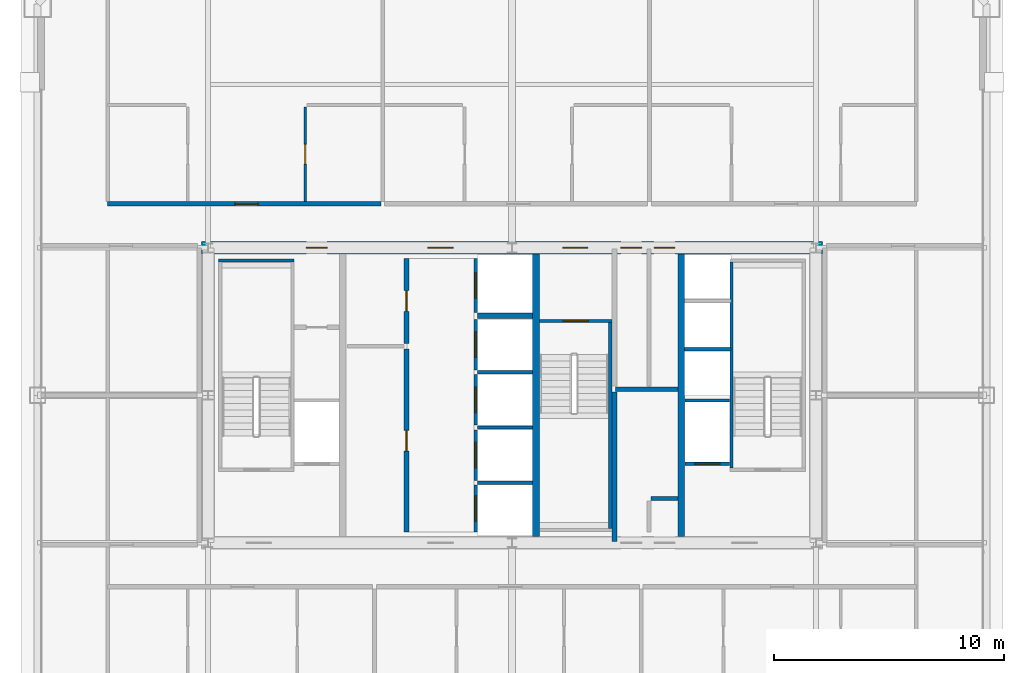
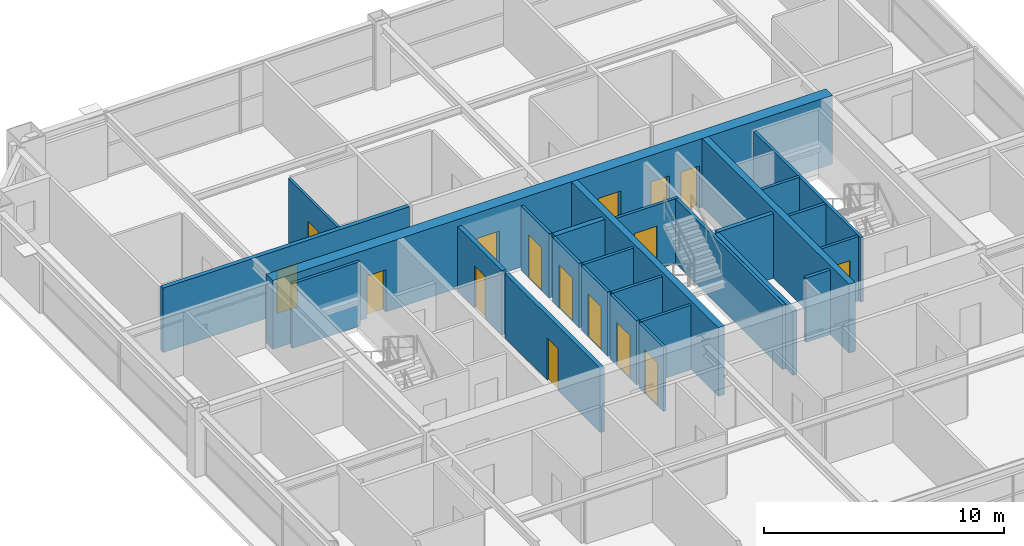
# One storey, part 33 of 36: 26 walls, 16 doors, 16 openings.
"""IFC4 building model written with IfcOpenShell, lengths in metres."""

from ifc_helpers import new_model, si_unit, direction, frame, frame_2d, origin, place, context, subcontext, project, spatial, rectangle, extrude, source, transform, mapped, material, layer, layer_set, type_object, element, fill, save


model = new_model("IFC4")

# Units and contexts
model_context = context("Model", 3, precision=1e-05, world=origin(), true_north=direction((0.0, 1.0)))
body_context = subcontext(model_context, "Body", "Model", "MODEL_VIEW")
ifc_project = project(units=[si_unit("LENGTHUNIT", "METRE"), si_unit("AREAUNIT", "SQUARE_METRE"), si_unit("VOLUMEUNIT", "CUBIC_METRE"), si_unit("PLANEANGLEUNIT", "RADIAN"), si_unit("MASSUNIT", "GRAM", prefix="KILO"), si_unit("THERMODYNAMICTEMPERATUREUNIT", "KELVIN"), si_unit("POWERUNIT", "WATT")], contexts=[model_context])

# Site, building, storey
site_placement = place(None, origin())
site = spatial("IfcSite", under=ifc_project, at=site_placement, CompositionType="ELEMENT")
building_placement = place(site_placement, origin())
building = spatial("IfcBuilding", under=site, at=building_placement, Name="Yuzanri Waterfront Tower", CompositionType="ELEMENT")
storey_placement = place(building_placement, frame((0.0, 0.0, 238.10009765625)))
storey = spatial("IfcBuildingStorey", under=building, at=storey_placement, Name="L63", CompositionType="ELEMENT", Elevation=238.10009765625)

# Wall, opening, door
ifc_material_1 = material(Name="Moisture-Resistant Gypsum Stud Wall", Category="gypsum")
ifc_layer_1 = layer(ifc_material_1, 0.1201171875)
ifc_layer_set_1 = layer_set([ifc_layer_1], Name="Moisture-Resistant Gypsum Stud Wall")
wall_type_1 = type_object("IfcWallType", Name="Bathroom and Kitchen Wet Partition 120", PredefinedType="PARTITIONING", material=ifc_layer_set_1)
wall_1_placement = place(storey_placement, frame((28.02099609375, 34.2099609375, 0.0), z_axis=(0.0, 0.0, 1.0), x_axis=(0.0, 1.0, 0.0)))
wall_1 = element("IfcWall", 1, at=wall_1_placement, inside=storey, type_object=wall_type_1, Name="L63 Partition UW-L63-RN1-SUB-2-W", PredefinedType="PARTITIONING", context=body_context, shape_type="SweptSolid", body=[
    extrude(rectangle(XDim=4.110107421875, YDim=0.1201171875, at=frame_2d((2.05517578125, 0.0))), origin(), (0.0, 0.0, 1.0), 3.27978515625),
])
opening_1_placement = place(wall_1_placement, frame((1.6298828125, 0.0, 0.0)))
opening_1 = element("IfcOpeningElement", 2, at=opening_1_placement, cuts=wall_1, Name="Opening ID-0850", PredefinedType="OPENING", context=body_context, shape_type="SweptSolid", body=[
    extrude(rectangle(XDim=0.85009765625, YDim=2.10009765625, at=frame_2d((0.425048828125, 1.050048828125))), frame((0.0, 0.074951171875, 0.0), z_axis=(0.0, -1.0, 0.0), x_axis=(1.0, 0.0, 0.0)), (0.0, 0.0, 1.0), 0.14990234375),
])
ifc_material_2 = material(Name="Moisture-Resistant Lacquered Timber", Category="wood")
door_type_1 = type_object("IfcDoorType", Name="En-Suite Bathroom and Kitchen Swing Door 850x2100", OperationType="NOTDEFINED", PredefinedType="DOOR", material=ifc_material_2)
shared_shape_1 = source(origin(), body_context, "Body", "SweptSolid", [
    extrude(rectangle(XDim=0.85009765625, YDim=2.10009765625, at=frame_2d((0.425048828125, 1.050048828125))), frame((0.0, 0.02490234375, 0.0), z_axis=(0.0, -1.0, 0.0), x_axis=(1.0, 0.0, 0.0)), (0.0, 0.0, 1.0), 0.050048828125),
])
door_1_placement = place(opening_1_placement, origin())
door_1 = element("IfcDoor", 3, at=door_1_placement, inside=storey, type_object=door_type_1, Name="L63 Suite Interior Room Door", OperationType="SINGLE_SWING_LEFT", OverallHeight=2.10009765625, OverallWidth=0.85009765625, PredefinedType="DOOR", context=body_context, shape_type="MappedRepresentation", body=[
    mapped(shared_shape_1, transform((0.0, 0.0, 0.0), scale=1.0)),
])
fill(opening_1, door_1)

# Wall, openings, doors
ifc_material_3 = material(Name="Concrete C50", Category="concrete")
ifc_layer_2 = layer(ifc_material_3, 0.550048828125)
ifc_layer_set_2 = layer_set([ifc_layer_2], Name="Concrete C50")
wall_type_2 = type_object("IfcWallType", Name="Concrete C50 Upper-Mid Zone Core Shear Wall 550", PredefinedType="SHEAR", material=ifc_layer_set_2)
wall_2_placement = place(storey_placement, frame((23.52490234375, 32.199951171875, 0.0), z_axis=(0.0, 0.0, 1.0), x_axis=(1.0, 0.0, 0.0)))
wall_2 = element("IfcWall", 4, at=wall_2_placement, inside=storey, type_object=wall_type_2, Name="L63 Core North Shear Wall", PredefinedType="SHEAR", context=body_context, shape_type="SweptSolid", body=[
    extrude(rectangle(XDim=26.9501953125, YDim=0.550048828125, at=frame_2d((13.47509765625, 0.0))), origin(), (0.0, 0.0, 1.0), 3.5),
])
opening_2_placement = place(wall_2_placement, frame((4.544921875, 0.0, 0.0)))
opening_2 = element("IfcOpeningElement", 5, at=opening_2_placement, cuts=wall_2, Name="Opening FD-0900", PredefinedType="OPENING", context=body_context, shape_type="SweptSolid", body=[
    extrude(rectangle(XDim=0.89990234375, YDim=2.14990234375, at=frame_2d((0.449951171875, 1.074951171875))), frame((0.0, 0.2900390625, 0.0), z_axis=(0.0, -1.0, 0.0), x_axis=(1.0, 0.0, 0.0)), (0.0, 0.0, 1.0), 0.579833984375),
])
opening_3_placement = place(wall_2_placement, frame((9.824951171875, 0.0, 0.0)))
opening_3 = element("IfcOpeningElement", 6, at=opening_3_placement, cuts=wall_2, Name="Opening FD-1100", PredefinedType="OPENING", context=body_context, shape_type="SweptSolid", body=[
    extrude(rectangle(XDim=1.10009765625, YDim=2.199951171875, at=frame_2d((0.550048828125, 1.10009765625))), frame((0.0, 0.2900390625, 0.0), z_axis=(0.0, -1.0, 0.0), x_axis=(1.0, 0.0, 0.0)), (0.0, 0.0, 1.0), 0.579833984375),
])
opening_4_placement = place(wall_2_placement, frame((15.675048828125, 0.0, 0.0)))
opening_4 = element("IfcOpeningElement", 7, at=opening_4_placement, cuts=wall_2, Name="Opening FD-1100", PredefinedType="OPENING", context=body_context, shape_type="SweptSolid", body=[
    extrude(rectangle(XDim=1.10009765625, YDim=2.199951171875, at=frame_2d((0.550048828125, 1.10009765625))), frame((0.0, 0.2900390625, 0.0), z_axis=(0.0, -1.0, 0.0), x_axis=(1.0, 0.0, 0.0)), (0.0, 0.0, 1.0), 0.579833984375),
])
opening_5_placement = place(wall_2_placement, frame((18.205078125, 0.0, 0.0)))
opening_5 = element("IfcOpeningElement", 8, at=opening_5_placement, cuts=wall_2, Name="Opening FD-0900", PredefinedType="OPENING", context=body_context, shape_type="SweptSolid", body=[
    extrude(rectangle(XDim=0.89990234375, YDim=2.14990234375, at=frame_2d((0.449951171875, 1.074951171875))), frame((0.0, 0.2900390625, 0.0), z_axis=(0.0, -1.0, 0.0), x_axis=(1.0, 0.0, 0.0)), (0.0, 0.0, 1.0), 0.579833984375),
])
opening_6_placement = place(wall_2_placement, frame((19.64501953125, 0.0, 0.0)))
opening_6 = element("IfcOpeningElement", 9, at=opening_6_placement, cuts=wall_2, Name="Opening FD-0900", PredefinedType="OPENING", context=body_context, shape_type="SweptSolid", body=[
    extrude(rectangle(XDim=0.89990234375, YDim=2.14990234375, at=frame_2d((0.449951171875, 1.074951171875))), frame((0.0, 0.2900390625, 0.0), z_axis=(0.0, -1.0, 0.0), x_axis=(1.0, 0.0, 0.0)), (0.0, 0.0, 1.0), 0.579833984375),
])
ifc_material_4 = material(Name="Painted Galvanized Fire Steel", Category="steel")
door_type_2 = type_object("IfcDoorType", Name="Smoke-Proof Stair and Lobby Fire Door 1100x2200", OperationType="NOTDEFINED", PredefinedType="DOOR", material=ifc_material_4)
shared_shape_2 = source(origin(), body_context, "Body", "SweptSolid", [
    extrude(rectangle(XDim=1.10009765625, YDim=2.199951171875, at=frame_2d((0.550048828125, 1.10009765625))), frame((0.0, 0.02490234375, 0.0), z_axis=(0.0, -1.0, 0.0), x_axis=(1.0, 0.0, 0.0)), (0.0, 0.0, 1.0), 0.050048828125),
])
door_2_placement = place(opening_3_placement, origin())
door_2 = element("IfcDoor", 10, at=door_2_placement, inside=storey, type_object=door_type_2, Name="L63 Central Lift Lobby North Door", OperationType="SINGLE_SWING_LEFT", OverallHeight=2.199951171875, OverallWidth=1.10009765625, PredefinedType="DOOR", context=body_context, shape_type="MappedRepresentation", body=[
    mapped(shared_shape_2, transform((0.0, 0.0, 0.0), scale=1.0)),
])
fill(opening_3, door_2)
door_3_placement = place(opening_4_placement, origin())
door_3 = element("IfcDoor", 11, at=door_3_placement, inside=storey, type_object=door_type_2, Name="L63 North Stair Lobby Door", OperationType="SINGLE_SWING_RIGHT", OverallHeight=2.199951171875, OverallWidth=1.10009765625, PredefinedType="DOOR", context=body_context, shape_type="MappedRepresentation", body=[
    mapped(shared_shape_2, transform((0.0, 0.0, 0.0), scale=1.0)),
])
fill(opening_4, door_3)
ifc_material_5 = material(Name="Painted Galvanized Fire Steel", Category="steel")
door_type_3 = type_object("IfcDoorType", Name="Riser and Service Room Fire Door 900x2150", OperationType="NOTDEFINED", PredefinedType="DOOR", material=ifc_material_5)
shared_shape_3 = source(origin(), body_context, "Body", "SweptSolid", [
    extrude(rectangle(XDim=0.89990234375, YDim=2.14990234375, at=frame_2d((0.449951171875, 1.074951171875))), frame((0.0, 0.02490234375, 0.0), z_axis=(0.0, -1.0, 0.0), x_axis=(1.0, 0.0, 0.0)), (0.0, 0.0, 1.0), 0.050048828125),
])
door_4_placement = place(opening_2_placement, origin())
door_4 = element("IfcDoor", 12, at=door_4_placement, inside=storey, type_object=door_type_3, Name="L63 Telecom Riser Door", OperationType="SINGLE_SWING_RIGHT", OverallHeight=2.14990234375, OverallWidth=0.89990234375, PredefinedType="DOOR", context=body_context, shape_type="MappedRepresentation", body=[
    mapped(shared_shape_3, transform((0.0, 0.0, 0.0), scale=1.0)),
])
fill(opening_2, door_4)
door_5_placement = place(opening_5_placement, origin())
door_5 = element("IfcDoor", 13, at=door_5_placement, inside=storey, type_object=door_type_3, Name="L63 Common Store Room", OperationType="SINGLE_SWING_RIGHT", OverallHeight=2.14990234375, OverallWidth=0.89990234375, PredefinedType="DOOR", context=body_context, shape_type="MappedRepresentation", body=[
    mapped(shared_shape_3, transform((0.0, 0.0, 0.0), scale=1.0)),
])
fill(opening_5, door_5)
door_6_placement = place(opening_6_placement, origin())
door_6 = element("IfcDoor", 14, at=door_6_placement, inside=storey, type_object=door_type_3, Name="L63 Linen Store Room", OperationType="SINGLE_SWING_LEFT", OverallHeight=2.14990234375, OverallWidth=0.89990234375, PredefinedType="DOOR", context=body_context, shape_type="MappedRepresentation", body=[
    mapped(shared_shape_3, transform((0.0, 0.0, 0.0), scale=1.0)),
])
fill(opening_6, door_6)

# Wall, opening, door
ifc_material_6 = material(Name="Concrete C40", Category="concrete")
ifc_layer_3 = layer(ifc_material_6, 0.139892578125)
ifc_layer_set_3 = layer_set([ifc_layer_3], Name="Concrete C40")
wall_type_3 = type_object("IfcWallType", Name="Core Stair Liner and Hoistway Shaft Wall 140", PredefinedType="SOLIDWALL", material=ifc_layer_set_3)
wall_3_placement = place(storey_placement, frame((44.52001953125, 22.830078125, 0.0), z_axis=(0.0, 0.0, 1.0), x_axis=(1.0, 0.0, 0.0)))
wall_3 = element("IfcWall", 15, at=wall_3_placement, inside=storey, type_object=wall_type_3, Name="L63 Lift FL-02 Front Shaft Wall", PredefinedType="SOLIDWALL", context=body_context, shape_type="SweptSolid", body=[
    extrude(rectangle(XDim=1.919921875, YDim=0.139892578125, at=frame_2d((0.9599609375, 0.0))), origin(), (0.0, 0.0, 1.0), 3.27978515625),
])
opening_7_placement = place(wall_3_placement, frame((0.409912109375, 0.0, 0.0)))
opening_7 = element("IfcOpeningElement", 16, at=opening_7_placement, cuts=wall_3, Name="Opening LD-FL-02", PredefinedType="OPENING", context=body_context, shape_type="SweptSolid", body=[
    extrude(rectangle(XDim=1.10009765625, YDim=2.199951171875, at=frame_2d((0.550048828125, 1.10009765625))), frame((0.0, 0.0849609375, 0.0), z_axis=(0.0, -1.0, 0.0), x_axis=(1.0, 0.0, 0.0)), (0.0, 0.0, 1.0), 0.169677734375),
])
ifc_material_7 = material(Name="Brushed Bronze and Stainless Steel Cab", Category="steel")
door_type_4 = type_object("IfcDoorType", Name="Center-Parting Bronze Lift Landing Sliding Door 1100x2200", OperationType="NOTDEFINED", PredefinedType="DOOR", material=ifc_material_7)
shared_shape_4 = source(origin(), body_context, "Body", "SweptSolid", [
    extrude(rectangle(XDim=1.10009765625, YDim=2.199951171875, at=frame_2d((0.550048828125, 1.10009765625))), frame((0.0, 0.02490234375, 0.0), z_axis=(0.0, -1.0, 0.0), x_axis=(1.0, 0.0, 0.0)), (0.0, 0.0, 1.0), 0.050048828125),
])
door_7_placement = place(opening_7_placement, origin())
door_7 = element("IfcDoor", 17, at=door_7_placement, inside=storey, type_object=door_type_4, Name="L63 FL-02 Lift Landing Sliding Door", OperationType="SLIDING_TO_RIGHT", OverallHeight=2.199951171875, OverallWidth=1.10009765625, PredefinedType="DOOR", context=body_context, shape_type="MappedRepresentation", body=[
    mapped(shared_shape_4, transform((0.0, 0.0, 0.0), scale=1.0)),
])
fill(opening_7, door_7)

wall_4_placement = place(storey_placement, frame((35.429931640625, 19.860107421875, 0.0), z_axis=(0.0, 0.0, 1.0), x_axis=(0.0, 1.0, 0.0)))
wall_4 = element("IfcWall", 18, at=wall_4_placement, inside=storey, type_object=wall_type_3, Name="L63 Lift PL-05 Front Shaft Wall", PredefinedType="SOLIDWALL", context=body_context, shape_type="SweptSolid", body=[
    extrude(rectangle(XDim=2.039794921875, YDim=0.139892578125, at=frame_2d((1.02001953125, 0.0))), origin(), (0.0, 0.0, 1.0), 3.27978515625),
])
opening_8_placement = place(wall_4_placement, frame((0.469970703125, 0.0, 0.0)))
opening_8 = element("IfcOpeningElement", 19, at=opening_8_placement, cuts=wall_4, Name="Opening LD-PL-05", PredefinedType="OPENING", context=body_context, shape_type="SweptSolid", body=[
    extrude(rectangle(XDim=1.10009765625, YDim=2.199951171875, at=frame_2d((0.550048828125, 1.10009765625))), frame((0.0, 0.0849609375, 0.0), z_axis=(0.0, -1.0, 0.0), x_axis=(1.0, 0.0, 0.0)), (0.0, 0.0, 1.0), 0.169677734375),
])
door_8_placement = place(opening_8_placement, origin())
door_8 = element("IfcDoor", 20, at=door_8_placement, inside=storey, type_object=door_type_4, Name="L63 PL-05 Lift Landing Sliding Door", OperationType="SLIDING_TO_RIGHT", OverallHeight=2.199951171875, OverallWidth=1.10009765625, PredefinedType="DOOR", context=body_context, shape_type="MappedRepresentation", body=[
    mapped(shared_shape_4, transform((0.0, 0.0, 0.0), scale=1.0)),
])
fill(opening_8, door_8)

wall_5_placement = place(storey_placement, frame((35.429931640625, 22.10009765625, 0.0), z_axis=(0.0, 0.0, 1.0), x_axis=(0.0, 1.0, 0.0)))
wall_5 = element("IfcWall", 21, at=wall_5_placement, inside=storey, type_object=wall_type_3, Name="L63 Lift PL-06 Front Shaft Wall", PredefinedType="SOLIDWALL", context=body_context, shape_type="SweptSolid", body=[
    extrude(rectangle(XDim=2.199951171875, YDim=0.139892578125, at=frame_2d((1.10009765625, 0.0))), origin(), (0.0, 0.0, 1.0), 3.27978515625),
])
opening_9_placement = place(wall_5_placement, frame((0.550048828125, 0.0, 0.0)))
opening_9 = element("IfcOpeningElement", 22, at=opening_9_placement, cuts=wall_5, Name="Opening LD-PL-06", PredefinedType="OPENING", context=body_context, shape_type="SweptSolid", body=[
    extrude(rectangle(XDim=1.10009765625, YDim=2.199951171875, at=frame_2d((0.550048828125, 1.10009765625))), frame((0.0, 0.0849609375, 0.0), z_axis=(0.0, -1.0, 0.0), x_axis=(1.0, 0.0, 0.0)), (0.0, 0.0, 1.0), 0.169677734375),
])
door_9_placement = place(opening_9_placement, origin())
door_9 = element("IfcDoor", 23, at=door_9_placement, inside=storey, type_object=door_type_4, Name="L63 PL-06 Lift Landing Sliding Door", OperationType="SLIDING_TO_LEFT", OverallHeight=2.199951171875, OverallWidth=1.10009765625, PredefinedType="DOOR", context=body_context, shape_type="MappedRepresentation", body=[
    mapped(shared_shape_4, transform((0.0, 0.0, 0.0), scale=1.0)),
])
fill(opening_9, door_9)

wall_6_placement = place(storey_placement, frame((35.429931640625, 24.5, 0.0), z_axis=(0.0, 0.0, 1.0), x_axis=(0.0, 1.0, 0.0)))
wall_6 = element("IfcWall", 24, at=wall_6_placement, inside=storey, type_object=wall_type_3, Name="L63 Lift PL-07 Front Shaft Wall", PredefinedType="SOLIDWALL", context=body_context, shape_type="SweptSolid", body=[
    extrude(rectangle(XDim=2.199951171875, YDim=0.139892578125, at=frame_2d((1.10009765625, 0.0))), origin(), (0.0, 0.0, 1.0), 3.27978515625),
])
opening_10_placement = place(wall_6_placement, frame((0.550048828125, 0.0, 0.0)))
opening_10 = element("IfcOpeningElement", 25, at=opening_10_placement, cuts=wall_6, Name="Opening LD-PL-07", PredefinedType="OPENING", context=body_context, shape_type="SweptSolid", body=[
    extrude(rectangle(XDim=1.10009765625, YDim=2.199951171875, at=frame_2d((0.550048828125, 1.10009765625))), frame((0.0, 0.0849609375, 0.0), z_axis=(0.0, -1.0, 0.0), x_axis=(1.0, 0.0, 0.0)), (0.0, 0.0, 1.0), 0.169677734375),
])
door_10_placement = place(opening_10_placement, origin())
door_10 = element("IfcDoor", 26, at=door_10_placement, inside=storey, type_object=door_type_4, Name="L63 PL-07 Lift Landing Sliding Door", OperationType="SLIDING_TO_RIGHT", OverallHeight=2.199951171875, OverallWidth=1.10009765625, PredefinedType="DOOR", context=body_context, shape_type="MappedRepresentation", body=[
    mapped(shared_shape_4, transform((0.0, 0.0, 0.0), scale=1.0)),
])
fill(opening_10, door_10)

wall_7_placement = place(storey_placement, frame((35.429931640625, 26.89990234375, 0.0), z_axis=(0.0, 0.0, 1.0), x_axis=(0.0, 1.0, 0.0)))
wall_7 = element("IfcWall", 27, at=wall_7_placement, inside=storey, type_object=wall_type_3, Name="L63 Lift PL-08 Front Shaft Wall", PredefinedType="SOLIDWALL", context=body_context, shape_type="SweptSolid", body=[
    extrude(rectangle(XDim=2.2001953125, YDim=0.139892578125, at=frame_2d((1.10009765625, 0.0))), origin(), (0.0, 0.0, 1.0), 3.27978515625),
])
opening_11_placement = place(wall_7_placement, frame((0.550048828125, 0.0, 0.0)))
opening_11 = element("IfcOpeningElement", 28, at=opening_11_placement, cuts=wall_7, Name="Opening LD-PL-08", PredefinedType="OPENING", context=body_context, shape_type="SweptSolid", body=[
    extrude(rectangle(XDim=1.10009765625, YDim=2.199951171875, at=frame_2d((0.550048828125, 1.10009765625))), frame((0.0, 0.0849609375, 0.0), z_axis=(0.0, -1.0, 0.0), x_axis=(1.0, 0.0, 0.0)), (0.0, 0.0, 1.0), 0.169677734375),
])
door_11_placement = place(opening_11_placement, origin())
door_11 = element("IfcDoor", 29, at=door_11_placement, inside=storey, type_object=door_type_4, Name="L63 PL-08 Lift Landing Sliding Door", OperationType="SLIDING_TO_LEFT", OverallHeight=2.199951171875, OverallWidth=1.10009765625, PredefinedType="DOOR", context=body_context, shape_type="MappedRepresentation", body=[
    mapped(shared_shape_4, transform((0.0, 0.0, 0.0), scale=1.0)),
])
fill(opening_11, door_11)

wall_8_placement = place(storey_placement, frame((35.429931640625, 29.39990234375, 0.0), z_axis=(0.0, 0.0, 1.0), x_axis=(0.0, 1.0, 0.0)))
wall_8 = element("IfcWall", 30, at=wall_8_placement, inside=storey, type_object=wall_type_3, Name="L63 Lift SL-02 Front Shaft Wall", PredefinedType="SOLIDWALL", context=body_context, shape_type="SweptSolid", body=[
    extrude(rectangle(XDim=2.340087890625, YDim=0.139892578125, at=frame_2d((1.169921875, 0.0))), origin(), (0.0, 0.0, 1.0), 3.27978515625),
])
opening_12_placement = place(wall_8_placement, frame((0.6201171875, 0.0, 0.0)))
opening_12 = element("IfcOpeningElement", 31, at=opening_12_placement, cuts=wall_8, Name="Opening LD-SL-02", PredefinedType="OPENING", context=body_context, shape_type="SweptSolid", body=[
    extrude(rectangle(XDim=1.10009765625, YDim=2.199951171875, at=frame_2d((0.550048828125, 1.10009765625))), frame((0.0, 0.0849609375, 0.0), z_axis=(0.0, -1.0, 0.0), x_axis=(1.0, 0.0, 0.0)), (0.0, 0.0, 1.0), 0.169677734375),
])
door_12_placement = place(opening_12_placement, origin())
door_12 = element("IfcDoor", 32, at=door_12_placement, inside=storey, type_object=door_type_4, Name="L63 SL-02 Lift Landing Sliding Door", OperationType="SLIDING_TO_RIGHT", OverallHeight=2.199951171875, OverallWidth=1.10009765625, PredefinedType="DOOR", context=body_context, shape_type="MappedRepresentation", body=[
    mapped(shared_shape_4, transform((0.0, 0.0, 0.0), scale=1.0)),
])
fill(opening_12, door_12)

wall_9_placement = place(storey_placement, frame((38.199951171875, 29.030029296875, 0.0), z_axis=(0.0, 0.0, 1.0), x_axis=(1.0, 0.0, 0.0)))
wall_9 = element("IfcWall", 33, at=wall_9_placement, inside=storey, type_object=wall_type_3, Name="L63 Shaft Wall STW-L63-ST-03-N", PredefinedType="SOLIDWALL", context=body_context, shape_type="SweptSolid", body=[
    extrude(rectangle(XDim=3.14013671875, YDim=0.139892578125, at=frame_2d((1.570068359375, 0.0))), origin(), (0.0, 0.0, 1.0), 3.27978515625),
])
opening_13_placement = place(wall_9_placement, frame((1.02001953125, 0.0, 0.0)))
opening_13 = element("IfcOpeningElement", 34, at=opening_13_placement, cuts=wall_9, Name="Opening FD-1100", PredefinedType="OPENING", context=body_context, shape_type="SweptSolid", body=[
    extrude(rectangle(XDim=1.10009765625, YDim=2.199951171875, at=frame_2d((0.550048828125, 1.10009765625))), frame((0.0, 0.0849609375, 0.0), z_axis=(0.0, -1.0, 0.0), x_axis=(1.0, 0.0, 0.0)), (0.0, 0.0, 1.0), 0.169677734375),
])
door_13_placement = place(opening_13_placement, origin())
door_13 = element("IfcDoor", 35, at=door_13_placement, inside=storey, type_object=door_type_2, Name="L63 Stair ST-03 Fire Door", OperationType="SINGLE_SWING_RIGHT", OverallHeight=2.199951171875, OverallWidth=1.10009765625, PredefinedType="DOOR", context=body_context, shape_type="MappedRepresentation", body=[
    mapped(shared_shape_2, transform((0.0, 0.0, 0.0), scale=1.0)),
])
fill(opening_13, door_13)

ifc_material_8 = material(Name="Autoclaved Aerated Concrete Blockwork", Category="masonry")
ifc_layer_4 = layer(ifc_material_8, 0.199951171875)
ifc_layer_set_4 = layer_set([ifc_layer_4], Name="Autoclaved Aerated Concrete Blockwork")
wall_type_4 = type_object("IfcWallType", Name="Corridor and Unit Party Fire Wall 200", PredefinedType="PARTITIONING", material=ifc_layer_set_4)
wall_10_placement = place(storey_placement, frame((32.419921875, 19.860107421875, 0.0), z_axis=(0.0, 0.0, 1.0), x_axis=(0.0, 1.0, 0.0)))
wall_10 = element("IfcWall", 36, at=wall_10_placement, inside=storey, type_object=wall_type_4, Name="L63 Partition CRW-L63-B1R-1", PredefinedType="PARTITIONING", context=body_context, shape_type="SweptSolid", body=[
    extrude(rectangle(XDim=7.93994140625, YDim=0.199951171875, at=frame_2d((3.969970703125, 0.0))), origin(), (0.0, 0.0, 1.0), 3.27978515625),
])
opening_14_placement = place(wall_10_placement, frame((3.52001953125, 0.0, 0.0)))
opening_14 = element("IfcOpeningElement", 37, at=opening_14_placement, cuts=wall_10, Name="Opening FD-0900", PredefinedType="OPENING", context=body_context, shape_type="SweptSolid", body=[
    extrude(rectangle(XDim=0.89990234375, YDim=2.14990234375, at=frame_2d((0.449951171875, 1.074951171875))), frame((0.0, 0.11474609375, 0.0), z_axis=(0.0, -1.0, 0.0), x_axis=(1.0, 0.0, 0.0)), (0.0, 0.0, 1.0), 0.229736328125),
])
door_14_placement = place(opening_14_placement, origin())
door_14 = element("IfcDoor", 38, at=door_14_placement, inside=storey, type_object=door_type_3, Name="L63 General Store Room", OperationType="SINGLE_SWING_RIGHT", OverallHeight=2.14990234375, OverallWidth=0.89990234375, PredefinedType="DOOR", context=body_context, shape_type="MappedRepresentation", body=[
    mapped(shared_shape_3, transform((0.0, 0.0, 0.0), scale=1.0)),
])
fill(opening_14, door_14)

wall_11_placement = place(storey_placement, frame((32.419921875, 28.050048828125, 0.0), z_axis=(0.0, 0.0, 1.0), x_axis=(0.0, 1.0, 0.0)))
wall_11 = element("IfcWall", 39, at=wall_11_placement, inside=storey, type_object=wall_type_4, Name="L63 Partition CRW-L63-B1R-2", PredefinedType="PARTITIONING", context=body_context, shape_type="SweptSolid", body=[
    extrude(rectangle(XDim=3.68994140625, YDim=0.199951171875, at=frame_2d((1.844970703125, 0.0))), origin(), (0.0, 0.0, 1.0), 3.27978515625),
])
opening_15_placement = place(wall_11_placement, frame((1.39501953125, 0.0, 0.0)))
opening_15 = element("IfcOpeningElement", 40, at=opening_15_placement, cuts=wall_11, Name="Opening FD-0900", PredefinedType="OPENING", context=body_context, shape_type="SweptSolid", body=[
    extrude(rectangle(XDim=0.89990234375, YDim=2.14990234375, at=frame_2d((0.449951171875, 1.074951171875))), frame((0.0, 0.11474609375, 0.0), z_axis=(0.0, -1.0, 0.0), x_axis=(1.0, 0.0, 0.0)), (0.0, 0.0, 1.0), 0.229736328125),
])
door_15_placement = place(opening_15_placement, origin())
door_15 = element("IfcDoor", 41, at=door_15_placement, inside=storey, type_object=door_type_3, Name="L63 Water Riser Shaft", OperationType="SINGLE_SWING_LEFT", OverallHeight=2.14990234375, OverallWidth=0.89990234375, PredefinedType="DOOR", context=body_context, shape_type="MappedRepresentation", body=[
    mapped(shared_shape_3, transform((0.0, 0.0, 0.0), scale=1.0)),
])
fill(opening_15, door_15)

wall_12_placement = place(storey_placement, frame((19.43994140625, 34.110107421875, 0.0), z_axis=(0.0, 0.0, 1.0), x_axis=(1.0, 0.0, 0.0)))
wall_12 = element("IfcWall", 42, at=wall_12_placement, inside=storey, type_object=wall_type_4, Name="L63 Partition UW-L63-RN1-CS", PredefinedType="PARTITIONING", context=body_context, shape_type="SweptSolid", body=[
    extrude(rectangle(XDim=11.861083984375, YDim=0.199951171875, at=frame_2d((5.9306640625, 0.0))), origin(), (0.0, 0.0, 1.0), 3.27978515625),
])
opening_16_placement = place(wall_12_placement, frame((5.531005859375, 0.0, 0.0)))
opening_16 = element("IfcOpeningElement", 43, at=opening_16_placement, cuts=wall_12, Name="Opening FD-1000", PredefinedType="OPENING", context=body_context, shape_type="SweptSolid", body=[
    extrude(rectangle(XDim=1.0, YDim=2.199951171875, at=frame_2d((0.5, 1.10009765625))), frame((0.0, 0.11474609375, 0.0), z_axis=(0.0, -1.0, 0.0), x_axis=(1.0, 0.0, 0.0)), (0.0, 0.0, 1.0), 0.229736328125),
])
ifc_material_9 = material(Name="Engineered Oak Fire-Rated Timber", Category="wood")
door_type_5 = type_object("IfcDoorType", Name="Guestroom and Apartment Entrance Fire Door 1000x2200", OperationType="NOTDEFINED", PredefinedType="DOOR", material=ifc_material_9)
shared_shape_5 = source(origin(), body_context, "Body", "SweptSolid", [
    extrude(rectangle(XDim=1.0, YDim=2.199951171875, at=frame_2d((0.5, 1.10009765625))), frame((0.0, 0.02490234375, 0.0), z_axis=(0.0, -1.0, 0.0), x_axis=(1.0, 0.0, 0.0)), (0.0, 0.0, 1.0), 0.050048828125),
])
door_16_placement = place(opening_16_placement, origin())
door_16 = element("IfcDoor", 44, at=door_16_placement, inside=storey, type_object=door_type_5, Name="L63 Studio Living and Sleeping Room Entrance Door", OperationType="SINGLE_SWING_LEFT", OverallHeight=2.199951171875, OverallWidth=1.0, PredefinedType="DOOR", context=body_context, shape_type="MappedRepresentation", body=[
    mapped(shared_shape_5, transform((0.0, 0.0, 0.0), scale=1.0)),
])
fill(opening_16, door_16)

# Walls
ifc_material_10 = material(Name="Concrete C50", Category="concrete")
ifc_layer_5 = layer(ifc_material_10, 0.300048828125)
ifc_layer_set_5 = layer_set([ifc_layer_5], Name="Concrete C50")
wall_type_5 = type_object("IfcWallType", Name="Concrete C50 Internal Core Shaft Structural Wall 300", PredefinedType="SOLIDWALL", material=ifc_layer_set_5)
shared_shape_6 = source(origin(), body_context, "Body", "SweptSolid", [
    extrude(rectangle(XDim=12.25, YDim=0.300048828125, at=frame_2d((6.125, 0.0))), origin(), (0.0, 0.0, 1.0), 3.5),
])
for number, where, z_axis, x_axis, name in (
    (45, (38.050048828125, 19.675048828125, 0.0), (0.0, 0.0, 1.0), (0.0, 1.0, 0.0), "L63 Core Internal Structural Web Wall 2"),
    (46, (44.35009765625, 19.675048828125, 0.0), (0.0, 0.0, 1.0), (0.0, 1.0, 0.0), "L63 Core Internal Structural Web Wall 3"),
):
    element("IfcWall", number, at=place(storey_placement, frame(where, z_axis=z_axis, x_axis=x_axis)), inside=storey, type_object=wall_type_5, Name=name, PredefinedType="SOLIDWALL", context=body_context, shape_type="MappedRepresentation", body=[
        mapped(shared_shape_6, transform((0.0, 0.0, 0.0), scale=1.0)),
    ])
shared_shape_7 = source(origin(), body_context, "Body", "SweptSolid", [
    extrude(rectangle(XDim=1.919921875, YDim=0.139892578125, at=frame_2d((0.9599609375, 0.0))), origin(), (0.0, 0.0, 1.0), 3.27978515625),
])
wall_13_placement = place(storey_placement, frame((44.52001953125, 25.570068359375, 0.0), z_axis=(0.0, 0.0, 1.0), x_axis=(1.0, 0.0, 0.0)))
element("IfcWall", 47, at=wall_13_placement, inside=storey, type_object=wall_type_3, Name="L63 Lift FL-02 Back Shaft Wall", PredefinedType="SOLIDWALL", context=body_context, shape_type="MappedRepresentation", body=[
    mapped(shared_shape_7, transform((0.0, 0.0, 0.0), scale=1.0)),
])
shared_shape_8 = source(origin(), body_context, "Body", "SweptSolid", [
    extrude(rectangle(XDim=2.39990234375, YDim=0.139892578125, at=frame_2d((1.199951171875, 0.0))), origin(), (0.0, 0.0, 1.0), 3.27978515625),
])
for number, where, z_axis, x_axis, name in (
    (48, (35.5, 22.0, 0.0), (0.0, 0.0, 1.0), (1.0, 0.0, 0.0), "L63 Lift PL-05 Divider Wall"),
    (49, (35.5, 24.39990234375, 0.0), (0.0, 0.0, 1.0), (1.0, 0.0, 0.0), "L63 Lift PL-06 Divider Wall"),
    (50, (35.5, 26.800048828125, 0.0), (0.0, 0.0, 1.0), (1.0, 0.0, 0.0), "L63 Lift PL-07 Divider Wall"),
):
    element("IfcWall", number, at=place(storey_placement, frame(where, z_axis=z_axis, x_axis=x_axis)), inside=storey, type_object=wall_type_3, Name=name, PredefinedType="SOLIDWALL", context=body_context, shape_type="MappedRepresentation", body=[
        mapped(shared_shape_8, transform((0.0, 0.0, 0.0), scale=1.0)),
    ])
ifc_material_11 = material(Name="Concrete C40", Category="concrete")
ifc_layer_6 = layer(ifc_material_11, 0.25)
ifc_layer_set_6 = layer_set([ifc_layer_6], Name="Concrete C40")
wall_type_6 = type_object("IfcWallType", Name="Smoke-Proof Stair and Lift Shaft Wall 250", PredefinedType="SOLIDWALL", material=ifc_layer_set_6)
shared_shape_9 = source(origin(), body_context, "Body", "SweptSolid", [
    extrude(rectangle(XDim=2.39990234375, YDim=0.25, at=frame_2d((1.199951171875, 0.0))), origin(), (0.0, 0.0, 1.0), 3.27978515625),
])
wall_14_placement = place(storey_placement, frame((35.5, 29.25, 0.0), z_axis=(0.0, 0.0, 1.0), x_axis=(1.0, 0.0, 0.0)))
element("IfcWall", 51, at=wall_14_placement, inside=storey, type_object=wall_type_6, Name="L63 Lift SL-02 South Shaft Wall", PredefinedType="SOLIDWALL", context=body_context, shape_type="MappedRepresentation", body=[
    mapped(shared_shape_9, transform((0.0, 0.0, 0.0), scale=1.0)),
])
shared_shape_10 = source(origin(), body_context, "Body", "SweptSolid", [
    extrude(rectangle(XDim=2.0, YDim=0.139892578125, at=frame_2d((1.0, 0.0))), origin(), (0.0, 0.0, 1.0), 3.27978515625),
])
wall_15_placement = place(storey_placement, frame((44.5, 27.800048828125, 0.0), z_axis=(0.0, 0.0, 1.0), x_axis=(1.0, 0.0, 0.0)))
element("IfcWall", 52, at=wall_15_placement, inside=storey, type_object=wall_type_3, Name="L63 Lift PL-09 Divider Wall", PredefinedType="SOLIDWALL", context=body_context, shape_type="MappedRepresentation", body=[
    mapped(shared_shape_10, transform((0.0, 0.0, 0.0), scale=1.0)),
])
shared_shape_11 = source(origin(), body_context, "Body", "SweptSolid", [
    extrude(rectangle(XDim=3.280029296875, YDim=0.139892578125, at=frame_2d((1.64013671875, 0.0))), origin(), (0.0, 0.0, 1.0), 3.27978515625),
])
wall_16_placement = place(storey_placement, frame((24.260009765625, 31.64990234375, 0.0), z_axis=(0.0, 0.0, 1.0), x_axis=(1.0, 0.0, 0.0)))
element("IfcWall", 53, at=wall_16_placement, inside=storey, type_object=wall_type_3, Name="L63 Stair ST-01 North Shaft Wall", PredefinedType="SOLIDWALL", context=body_context, shape_type="MappedRepresentation", body=[
    mapped(shared_shape_11, transform((0.0, 0.0, 0.0), scale=1.0)),
])
shared_shape_12 = source(origin(), body_context, "Body", "SweptSolid", [
    extrude(rectangle(XDim=8.940185546875, YDim=0.139892578125, at=frame_2d((4.47021484375, 0.0))), origin(), (0.0, 0.0, 1.0), 3.27978515625),
])
wall_17_placement = place(storey_placement, frame((46.530029296875, 22.639892578125, 0.0), z_axis=(0.0, 0.0, 1.0), x_axis=(0.0, 1.0, 0.0)))
element("IfcWall", 54, at=wall_17_placement, inside=storey, type_object=wall_type_3, Name="L63 Stair ST-02 West Shaft Wall", PredefinedType="SOLIDWALL", context=body_context, shape_type="MappedRepresentation", body=[
    mapped(shared_shape_12, transform((0.0, 0.0, 0.0), scale=1.0)),
])
shared_shape_13 = source(origin(), body_context, "Body", "SweptSolid", [
    extrude(rectangle(XDim=8.93994140625, YDim=0.139892578125, at=frame_2d((4.469970703125, 0.0))), origin(), (0.0, 0.0, 1.0), 3.27978515625),
])
wall_18_placement = place(storey_placement, frame((41.27001953125, 20.02001953125, 0.0), z_axis=(0.0, 0.0, 1.0), x_axis=(0.0, 1.0, 0.0)))
element("IfcWall", 55, at=wall_18_placement, inside=storey, type_object=wall_type_3, Name="L63 Stair ST-03 East Shaft Wall", PredefinedType="SOLIDWALL", context=body_context, shape_type="MappedRepresentation", body=[
    mapped(shared_shape_13, transform((0.0, 0.0, 0.0), scale=1.0)),
])
ifc_material_12 = material(Name="Gypsum Fireboard Acoustic Stud Wall", Category="gypsum")
ifc_layer_7 = layer(ifc_material_12, 0.159912109375)
ifc_layer_set_7 = layer_set([ifc_layer_7], Name="Gypsum Fireboard Acoustic Stud Wall")
wall_type_7 = type_object("IfcWallType", Name="Acoustic Suite Demising Partition 160", PredefinedType="PARTITIONING", material=ifc_layer_set_7)
shared_shape_14 = source(origin(), body_context, "Body", "SweptSolid", [
    extrude(rectangle(XDim=1.169921875, YDim=0.159912109375, at=frame_2d((0.5849609375, 0.0))), origin(), (0.0, 0.0, 1.0), 3.27978515625),
])
wall_19_placement = place(storey_placement, frame((43.030029296875, 21.320068359375, 0.0), z_axis=(0.0, 0.0, 1.0), x_axis=(1.0, 0.0, 0.0)))
element("IfcWall", 56, at=wall_19_placement, inside=storey, type_object=wall_type_7, Name="L63 East Wet Riser North Wall", PredefinedType="PARTITIONING", context=body_context, shape_type="MappedRepresentation", body=[
    mapped(shared_shape_14, transform((0.0, 0.0, 0.0), scale=1.0)),
])
shared_shape_15 = source(origin(), body_context, "Body", "SweptSolid", [
    extrude(rectangle(XDim=6.510009765625, YDim=0.199951171875, at=frame_2d((3.2548828125, 0.0))), origin(), (0.0, 0.0, 1.0), 3.27978515625),
])
wall_20_placement = place(storey_placement, frame((41.449951171875, 19.43994140625, 0.0), z_axis=(0.0, 0.0, 1.0), x_axis=(0.0, 1.0, 0.0)))
element("IfcWall", 57, at=wall_20_placement, inside=storey, type_object=wall_type_4, Name="L63 Core BOH West Wall 1", PredefinedType="PARTITIONING", context=body_context, shape_type="MappedRepresentation", body=[
    mapped(shared_shape_15, transform((0.0, 0.0, 0.0), scale=1.0)),
])
shared_shape_16 = source(origin(), body_context, "Body", "SweptSolid", [
    extrude(rectangle(XDim=2.699951171875, YDim=0.199951171875, at=frame_2d((1.35009765625, 0.0))), origin(), (0.0, 0.0, 1.0), 3.27978515625),
])
wall_21_placement = place(storey_placement, frame((41.5, 26.070068359375, 0.0), z_axis=(0.0, 0.0, 1.0), x_axis=(1.0, 0.0, 0.0)))
element("IfcWall", 58, at=wall_21_placement, inside=storey, type_object=wall_type_4, Name="L63 Core BOH Split Wall 1", PredefinedType="PARTITIONING", context=body_context, shape_type="MappedRepresentation", body=[
    mapped(shared_shape_16, transform((0.0, 0.0, 0.0), scale=1.0)),
])

save(model, "model.ifc")
